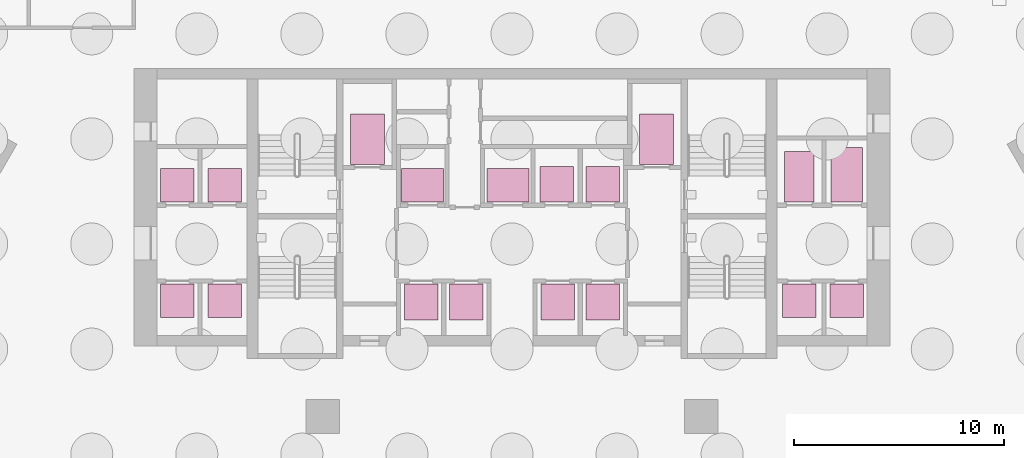
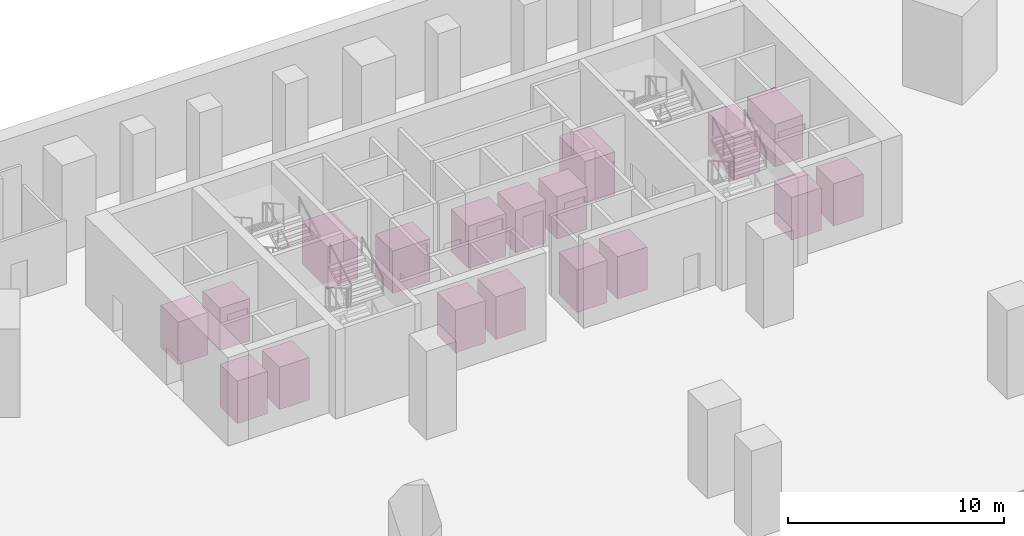
# One storey, part 27 of 27: 18 transport elements.
"""IFC4 building model written with IfcOpenShell, lengths in metres."""

from ifc_helpers import new_model, si_unit, direction, frame, origin, origin_2d, place, context, subcontext, project, spatial, rectangle, extrude, material, type_object, element, save


model = new_model("IFC4")

# Units and contexts
model_context = context("Model", 3, precision=1e-05, world=origin(), true_north=direction((0.0, 1.0)))
body_context = subcontext(model_context, "Body", "Model", "MODEL_VIEW")
ifc_project = project(units=[si_unit("LENGTHUNIT", "METRE"), si_unit("AREAUNIT", "SQUARE_METRE"), si_unit("VOLUMEUNIT", "CUBIC_METRE"), si_unit("PLANEANGLEUNIT", "RADIAN"), si_unit("MASSUNIT", "GRAM", prefix="KILO")], contexts=[model_context])

# Site, building, storey
site_placement = place(None, origin())
site = spatial("IfcSite", under=ifc_project, at=site_placement, CompositionType="ELEMENT")
building_placement = place(site_placement, origin())
building = spatial("IfcBuilding", under=site, at=building_placement, Name="Calabash Gate Tower", CompositionType="ELEMENT")
storey_placement = place(building_placement, frame((0.0, 0.0, -10.0)))
storey = spatial("IfcBuildingStorey", under=building, at=storey_placement, Name="B2", CompositionType="ELEMENT", Elevation=-10.0)

# Transport elements
ifc_material_1 = material(Name="Stainless steel lined lift car", Category="steel")
transport_element_type_1 = type_object("IfcTransportElementType", Name="Fire-fighting and service lift 1600x2400", PredefinedType="ELEVATOR", material=ifc_material_1)
for number, where, z_axis, x_axis, name in (
    (1, (-6.875, 15.70263671875, 0.0), (0.0, 0.0, 1.0), (1.0, 0.0, 0.0), "Fire-fighting lift FF1"),
    (2, (6.875, 15.70263671875, 0.0), (0.0, 0.0, 1.0), (1.0, 0.0, 0.0), "Fire-fighting lift FF2"),
):
    element("IfcTransportElement", number, at=place(storey_placement, frame(where, z_axis=z_axis, x_axis=x_axis)), inside=storey, type_object=transport_element_type_1, Name=name, PredefinedType="ELEVATOR", context=body_context, shape_type="SweptSolid", body=[
        extrude(rectangle(XDim=1.60009765625, YDim=2.39990234375, at=origin_2d()), origin(), (0.0, 0.0, 1.0), 2.39990234375),
    ])
ifc_material_2 = material(Name="Stainless steel lined lift car", Category="steel")
transport_element_type_2 = type_object("IfcTransportElementType", Name="Goods lift 1500x2600", PredefinedType="ELEVATOR", material=ifc_material_2)
transport_element_1_placement = place(storey_placement, frame((15.925048828125, 14.002685546875, 0.0), z_axis=(0.0, 0.0, 1.0), x_axis=(1.0, 0.0, 0.0)))
element("IfcTransportElement", 3, at=transport_element_1_placement, inside=storey, type_object=transport_element_type_2, Name="Goods lift GL1", PredefinedType="ELEVATOR", context=body_context, shape_type="SweptSolid", body=[
    extrude(rectangle(XDim=1.5, YDim=2.60009765625, at=origin_2d()), origin(), (0.0, 0.0, 1.0), 2.39990234375),
])
ifc_material_3 = material(Name="Stainless steel lined lift car", Category="steel")
transport_element_type_3 = type_object("IfcTransportElementType", Name="High-rise passenger lift 1600x1700", PredefinedType="ELEVATOR", material=ifc_material_3)
for number, where, z_axis, x_axis, name in (
    (4, (-4.324951171875, 7.95263671875, 0.0), (0.0, 0.0, 1.0), (1.0, 0.0, 0.0), "High-rise lift HR1"),
    (5, (-2.175048828125, 7.95263671875, 0.0), (0.0, 0.0, 1.0), (1.0, 0.0, 0.0), "High-rise lift HR2"),
    (6, (2.175048828125, 7.95263671875, 0.0), (0.0, 0.0, 1.0), (1.0, 0.0, 0.0), "High-rise lift HR3"),
    (7, (4.324951171875, 7.95263671875, 0.0), (0.0, 0.0, 1.0), (1.0, 0.0, 0.0), "High-rise lift HR4"),
    (8, (2.125, 13.552490234375, 0.0), (0.0, 0.0, 1.0), (1.0, 0.0, 0.0), "High-rise lift HR5"),
    (9, (4.324951171875, 13.552490234375, 0.0), (0.0, 0.0, 1.0), (1.0, 0.0, 0.0), "High-rise lift HR6"),
):
    element("IfcTransportElement", number, at=place(storey_placement, frame(where, z_axis=z_axis, x_axis=x_axis)), inside=storey, type_object=transport_element_type_3, Name=name, PredefinedType="ELEVATOR", context=body_context, shape_type="SweptSolid", body=[
        extrude(rectangle(XDim=1.60009765625, YDim=1.699951171875, at=origin_2d()), origin(), (0.0, 0.0, 1.0), 2.39990234375),
    ])
ifc_material_4 = material(Name="Stainless steel lined lift car", Category="steel")
transport_element_type_4 = type_object("IfcTransportElementType", Name="Low-rise passenger lift 1600x1600", PredefinedType="ELEVATOR", material=ifc_material_4)
for number, where, z_axis, x_axis, name in (
    (10, (-13.675048828125, 8.002685546875, 0.0), (0.0, 0.0, 1.0), (1.0, 0.0, 0.0), "Low-rise lift LR1"),
    (11, (-13.675048828125, 13.502685546875, 0.0), (0.0, 0.0, 1.0), (1.0, 0.0, 0.0), "Low-rise lift LR3"),
    (12, (13.675048828125, 8.002685546875, 0.0), (0.0, 0.0, 1.0), (1.0, 0.0, 0.0), "Low-rise lift LR5"),
    (13, (-15.925048828125, 8.002685546875, 0.0), (0.0, 0.0, 1.0), (1.0, 0.0, 0.0), "Low-rise lift LR2"),
    (14, (-15.925048828125, 13.502685546875, 0.0), (0.0, 0.0, 1.0), (1.0, 0.0, 0.0), "Low-rise lift LR4"),
    (15, (15.925048828125, 8.002685546875, 0.0), (0.0, 0.0, 1.0), (1.0, 0.0, 0.0), "Low-rise lift LR6"),
):
    element("IfcTransportElement", number, at=place(storey_placement, frame(where, z_axis=z_axis, x_axis=x_axis)), inside=storey, type_object=transport_element_type_4, Name=name, PredefinedType="ELEVATOR", context=body_context, shape_type="SweptSolid", body=[
        extrude(rectangle(XDim=1.60009765625, YDim=1.60009765625, at=origin_2d()), origin(), (0.0, 0.0, 1.0), 2.39990234375),
    ])
ifc_material_5 = material(Name="Stainless steel lined lift car", Category="steel")
transport_element_type_5 = type_object("IfcTransportElementType", Name="Observation express lift 2000x1600", PredefinedType="ELEVATOR", material=ifc_material_5)
for number, where, z_axis, x_axis, name in (
    (16, (-4.25, 13.502685546875, 0.0), (0.0, 0.0, 1.0), (1.0, 0.0, 0.0), "Observation lift OB1"),
    (17, (-0.199951171875, 13.502685546875, 0.0), (0.0, 0.0, 1.0), (1.0, 0.0, 0.0), "Observation lift OB2"),
):
    element("IfcTransportElement", number, at=place(storey_placement, frame(where, z_axis=z_axis, x_axis=x_axis)), inside=storey, type_object=transport_element_type_5, Name=name, PredefinedType="ELEVATOR", context=body_context, shape_type="SweptSolid", body=[
        extrude(rectangle(XDim=2.0, YDim=1.60009765625, at=origin_2d()), origin(), (0.0, 0.0, 1.0), 2.39990234375),
    ])
ifc_material_6 = material(Name="Stainless steel lined lift car", Category="steel")
transport_element_type_6 = type_object("IfcTransportElementType", Name="Service lift 1400x2400", PredefinedType="ELEVATOR", material=ifc_material_6)
transport_element_2_placement = place(storey_placement, frame((13.675048828125, 13.902587890625, 0.0), z_axis=(0.0, 0.0, 1.0), x_axis=(1.0, 0.0, 0.0)))
element("IfcTransportElement", 18, at=transport_element_2_placement, inside=storey, type_object=transport_element_type_6, Name="Service lift SL1", PredefinedType="ELEVATOR", context=body_context, shape_type="SweptSolid", body=[
    extrude(rectangle(XDim=1.39990234375, YDim=2.39990234375, at=origin_2d()), origin(), (0.0, 0.0, 1.0), 2.39990234375),
])

save(model, "model.ifc")
